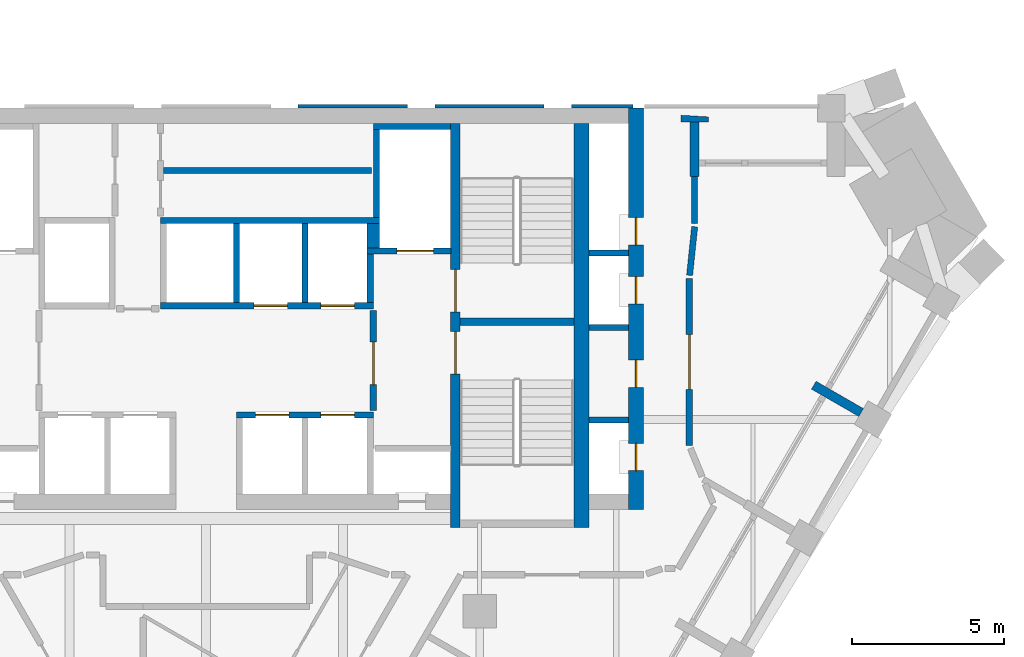
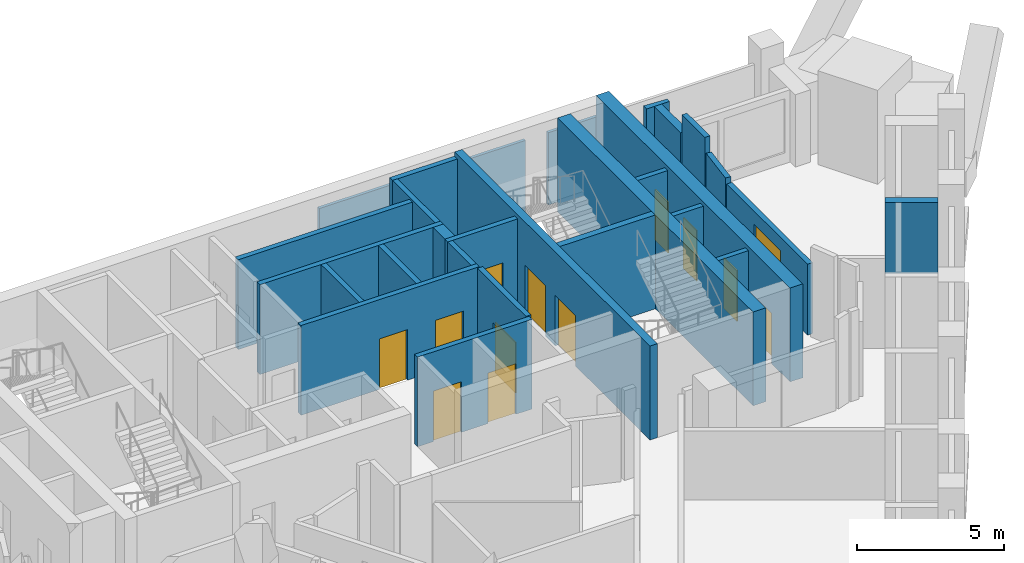
# One storey, part 7 of 9: 28 walls, 13 doors, 13 openings.
"""IFC4 building model written with IfcOpenShell, lengths in metres."""

from ifc_helpers import new_model, si_unit, direction, frame, frame_2d, origin, place, context, subcontext, project, spatial, polyline, rectangle, outline, extrude, material, layer, layer_set, type_object, element, fill, save


model = new_model("IFC4")

# Units and contexts
model_context = context("Model", 3, precision=1e-05, world=origin(), true_north=direction((0.0, 1.0)))
body_context = subcontext(model_context, "Body", "Model", "MODEL_VIEW")
ifc_project = project(units=[si_unit("LENGTHUNIT", "METRE"), si_unit("AREAUNIT", "SQUARE_METRE"), si_unit("VOLUMEUNIT", "CUBIC_METRE"), si_unit("PLANEANGLEUNIT", "RADIAN"), si_unit("MASSUNIT", "GRAM", prefix="KILO")], contexts=[model_context])

# Site, building, storey
site_placement = place(None, origin())
site = spatial("IfcSite", under=ifc_project, at=site_placement, CompositionType="ELEMENT")
building_placement = place(site_placement, origin())
building = spatial("IfcBuilding", under=site, at=building_placement, Name="Calabash Gate Tower", CompositionType="ELEMENT")
storey_placement = place(building_placement, frame((0.0, 0.0, 231.5)))
storey = spatial("IfcBuildingStorey", under=building, at=storey_placement, Name="L55", CompositionType="ELEMENT", Elevation=231.5)

# Walls
ifc_material_1 = material(Name="Terracotta brick masonry, exposed face", Category="masonry")
ifc_layer_1 = layer(ifc_material_1, 0.89990234375)
ifc_layer_set_1 = layer_set([ifc_layer_1], Name="Brick end wall 900")
wall_type_1 = type_object("IfcWallType", Name="Brick end wall 900", PredefinedType="SOLIDWALL", material=ifc_layer_set_1)
wall_1_placement = place(storey_placement, origin())
element("IfcWall", 1, at=wall_1_placement, inside=storey, type_object=wall_type_1, Name="Brick pier S16 N4.1", PredefinedType="SOLIDWALL", context=body_context, shape_type="SweptSolid", body=[
    extrude(outline(polyline([(16.52685546875, 18.768798828125), (15.626953125, 18.8232421875), (15.626953125, 18.6025390625), (16.52685546875, 18.6025390625), (16.52685546875, 18.768798828125)])), origin(), (0.0, 0.0, 1.0), 3.0),
])
ifc_material_2 = material(Name="Terracotta brick masonry, exposed face", Category="masonry")
ifc_layer_2 = layer(ifc_material_2, 0.300048828125)
ifc_layer_set_2 = layer_set([ifc_layer_2], Name="Brick loggia cheek wall 300")
wall_type_2 = type_object("IfcWallType", Name="Brick loggia cheek wall 300", PredefinedType="SOLIDWALL", material=ifc_layer_set_2)
wall_2_placement = place(storey_placement, frame((21.556396484375, 9.037109375, 0.0), z_axis=(0.0, 0.0, 1.0), x_axis=(-0.866047807691, 0.499961193289, 0.0)))
element("IfcWall", 2, at=wall_2_placement, inside=storey, type_object=wall_type_2, Name="Loggia cheek S16 SE2.8", PredefinedType="SOLIDWALL", context=body_context, shape_type="SweptSolid", body=[
    extrude(rectangle(XDim=1.800048828125, YDim=0.300048828125, at=frame_2d((0.89990234375, 0.0))), origin(), (0.0, 0.0, 1.0), 2.9501953125),
])
wall_3_placement = place(storey_placement, origin())
element("IfcWall", 3, at=wall_3_placement, inside=storey, type_object=wall_type_2, Name="Loggia cheek S16 N4.1", PredefinedType="SOLIDWALL", context=body_context, shape_type="SweptSolid", body=[
    extrude(outline(polyline([(15.927001953125, 18.6025390625), (15.927001953125, 16.802490234375), (16.22705078125, 16.802490234375), (16.22705078125, 18.6025390625), (15.927001953125, 18.6025390625)])), origin(), (0.0, 0.0, 1.0), 3.0),
])
ifc_material_3 = material(Name="Concrete C70/85", Category="concrete")
ifc_layer_3 = layer(ifc_material_3, 0.25)
ifc_layer_set_3 = layer_set([ifc_layer_3], Name="Core wall 250 Concrete C70/85")
wall_type_3 = type_object("IfcWallType", Name="Core wall 250 Concrete C70/85", PredefinedType="SHEAR", material=ifc_layer_set_3)
wall_4_placement = place(storey_placement, frame((8.35009765625, 12.027587890625, 0.0), z_axis=(0.0, 0.0, 1.0), x_axis=(1.0, 0.0, 0.0)))
element("IfcWall", 4, at=wall_4_placement, inside=storey, type_object=wall_type_3, Name="Core wall Z4-MIDE L55", PredefinedType="SHEAR", context=body_context, shape_type="SweptSolid", body=[
    extrude(rectangle(XDim=3.75, YDim=0.25, at=frame_2d((1.875, 0.0))), origin(), (0.0, 0.0, 1.0), 3.89990234375),
])

# Wall, openings, doors
ifc_material_4 = material(Name="Concrete C70/85", Category="concrete")
ifc_layer_4 = layer(ifc_material_4, 0.300048828125)
ifc_layer_set_4 = layer_set([ifc_layer_4], Name="Core wall 300 Concrete C70/85")
wall_type_4 = type_object("IfcWallType", Name="Core wall 300 Concrete C70/85", PredefinedType="SHEAR", material=ifc_layer_set_4)
wall_5_placement = place(storey_placement, frame((8.199951171875, 5.252685546875, 0.0), z_axis=(0.0, 0.0, 1.0), x_axis=(0.0, 1.0, 0.0)))
wall_5 = element("IfcWall", 5, at=wall_5_placement, inside=storey, type_object=wall_type_4, Name="Core wall Z4-PARTE L55", PredefinedType="SHEAR", context=body_context, shape_type="SweptSolid", body=[
    extrude(rectangle(XDim=13.2998046875, YDim=0.300048828125, at=frame_2d((6.64990234375, 0.0))), origin(), (0.0, 0.0, 1.0), 3.89990234375),
])
opening_1_placement = place(wall_5_placement, frame((7.10009765625, 0.0, 0.0)))
opening_1 = element("IfcOpeningElement", 6, at=opening_1_placement, cuts=wall_5, Name="Opening O8-019", PredefinedType="OPENING", context=body_context, shape_type="SweptSolid", body=[
    extrude(rectangle(XDim=1.39990234375, YDim=2.10009765625, at=frame_2d((0.699951171875, 1.050048828125))), frame((0.0, 0.159912109375, 0.0), z_axis=(0.0, -1.0, 0.0), x_axis=(1.0, 0.0, 0.0)), (0.0, 0.0, 1.0), 0.320068359375),
])
opening_2_placement = place(wall_5_placement, frame((5.050048828125, 0.0, 0.0)))
opening_2 = element("IfcOpeningElement", 7, at=opening_2_placement, cuts=wall_5, Name="Opening O8-020", PredefinedType="OPENING", context=body_context, shape_type="SweptSolid", body=[
    extrude(rectangle(XDim=1.39990234375, YDim=2.10009765625, at=frame_2d((0.699951171875, 1.050048828125))), frame((0.0, 0.159912109375, 0.0), z_axis=(0.0, -1.0, 0.0), x_axis=(1.0, 0.0, 0.0)), (0.0, 0.0, 1.0), 0.320068359375),
])
ifc_material_5 = material(Name="Steel fire door set with fire-resisting glazing", Category="steel")
door_type_1 = type_object("IfcDoorType", Name="Fire door D05 1400x2100 FD90", OperationType="NOTDEFINED", PredefinedType="DOOR", material=ifc_material_5)
door_1_placement = place(opening_1_placement, origin())
door_1 = element("IfcDoor", 8, at=door_1_placement, inside=storey, type_object=door_type_1, Name="Exit stair door ST3", OperationType="SINGLE_SWING_RIGHT", OverallHeight=2.10009765625, OverallWidth=1.39990234375, PredefinedType="DOOR", context=body_context, shape_type="SweptSolid", body=[
    extrude(rectangle(XDim=1.39990234375, YDim=2.10009765625, at=frame_2d((0.699951171875, 1.050048828125))), frame((0.0, 0.02490234375, 0.0), z_axis=(0.0, -1.0, 0.0), x_axis=(1.0, 0.0, 0.0)), (0.0, 0.0, 1.0), 0.050048828125),
])
fill(opening_1, door_1)
door_2_placement = place(opening_2_placement, origin())
door_2 = element("IfcDoor", 9, at=door_2_placement, inside=storey, type_object=door_type_1, Name="Exit stair door ST4", OperationType="SINGLE_SWING_LEFT", OverallHeight=2.10009765625, OverallWidth=1.39990234375, PredefinedType="DOOR", context=body_context, shape_type="SweptSolid", body=[
    extrude(rectangle(XDim=1.39990234375, YDim=2.10009765625, at=frame_2d((0.699951171875, 1.050048828125))), frame((0.0, 0.02490234375, 0.0), z_axis=(0.0, -1.0, 0.0), x_axis=(1.0, 0.0, 0.0)), (0.0, 0.0, 1.0), 0.050048828125),
])
fill(opening_2, door_2)

# Wall
ifc_material_6 = material(Name="Concrete C70/85", Category="concrete")
ifc_layer_5 = layer(ifc_material_6, 0.5)
ifc_layer_set_5 = layer_set([ifc_layer_5], Name="Core wall 500 Concrete C70/85")
wall_type_5 = type_object("IfcWallType", Name="Core wall 500 Concrete C70/85", PredefinedType="SHEAR", material=ifc_layer_set_5)
wall_6_placement = place(storey_placement, frame((12.35009765625, 5.252685546875, 0.0), z_axis=(0.0, 0.0, 1.0), x_axis=(0.0, 1.0, 0.0)))
element("IfcWall", 10, at=wall_6_placement, inside=storey, type_object=wall_type_5, Name="Core wall Z4-COLE L55", PredefinedType="SHEAR", context=body_context, shape_type="SweptSolid", body=[
    extrude(rectangle(XDim=13.2998046875, YDim=0.5, at=frame_2d((6.64990234375, 0.0))), origin(), (0.0, 0.0, 1.0), 3.89990234375),
])

# Wall, openings, doors
wall_7_placement = place(storey_placement, frame((14.14990234375, 5.8525390625, 0.0), z_axis=(0.0, 0.0, 1.0), x_axis=(0.0, 1.0, 0.0)))
wall_7 = element("IfcWall", 11, at=wall_7_placement, inside=storey, type_object=wall_type_5, Name="Core wall Z4-ENDE L55", PredefinedType="SHEAR", context=body_context, shape_type="SweptSolid", body=[
    extrude(rectangle(XDim=13.199951171875, YDim=0.5, at=frame_2d((6.60009765625, 0.0))), origin(), (0.0, 0.0, 1.0), 3.89990234375),
])
opening_3_placement = place(wall_7_placement, frame((1.27001953125, 0.0, 0.0)))
opening_3 = element("IfcOpeningElement", 12, at=opening_3_placement, cuts=wall_7, Name="Opening O8-001", PredefinedType="OPENING", context=body_context, shape_type="SweptSolid", body=[
    extrude(rectangle(XDim=0.89990234375, YDim=2.10009765625, at=frame_2d((0.449951171875, 1.050048828125))), frame((0.0, 0.260009765625, 0.0), z_axis=(0.0, -1.0, 0.0), x_axis=(1.0, 0.0, 0.0)), (0.0, 0.0, 1.0), 0.52001953125),
])
opening_4_placement = place(wall_7_placement, frame((4.014892578125, 0.0, 0.0)))
opening_4 = element("IfcOpeningElement", 13, at=opening_4_placement, cuts=wall_7, Name="Opening O8-002", PredefinedType="OPENING", context=body_context, shape_type="SweptSolid", body=[
    extrude(rectangle(XDim=0.89990234375, YDim=2.10009765625, at=frame_2d((0.449951171875, 1.050048828125))), frame((0.0, 0.260009765625, 0.0), z_axis=(0.0, -1.0, 0.0), x_axis=(1.0, 0.0, 0.0)), (0.0, 0.0, 1.0), 0.52001953125),
])
opening_5_placement = place(wall_7_placement, frame((6.760009765625, 0.0, 0.0)))
opening_5 = element("IfcOpeningElement", 14, at=opening_5_placement, cuts=wall_7, Name="Opening O8-003", PredefinedType="OPENING", context=body_context, shape_type="SweptSolid", body=[
    extrude(rectangle(XDim=0.89990234375, YDim=2.10009765625, at=frame_2d((0.449951171875, 1.050048828125))), frame((0.0, 0.260009765625, 0.0), z_axis=(0.0, -1.0, 0.0), x_axis=(1.0, 0.0, 0.0)), (0.0, 0.0, 1.0), 0.52001953125),
])
opening_6_placement = place(wall_7_placement, frame((8.697509765625, 0.0, 0.0)))
opening_6 = element("IfcOpeningElement", 15, at=opening_6_placement, cuts=wall_7, Name="Opening O8-004", PredefinedType="OPENING", context=body_context, shape_type="SweptSolid", body=[
    extrude(rectangle(XDim=0.89990234375, YDim=2.10009765625, at=frame_2d((0.449951171875, 1.050048828125))), frame((0.0, 0.260009765625, 0.0), z_axis=(0.0, -1.0, 0.0), x_axis=(1.0, 0.0, 0.0)), (0.0, 0.0, 1.0), 0.52001953125),
])
ifc_material_7 = material(Name="Steel fire door set with fire-resisting glazing", Category="steel")
door_type_2 = type_object("IfcDoorType", Name="Fire door D06 900x2100 FD60", OperationType="NOTDEFINED", PredefinedType="DOOR", material=ifc_material_7)
door_3_placement = place(opening_3_placement, origin())
door_3 = element("IfcDoor", 16, at=door_3_placement, inside=storey, type_object=door_type_2, Name="Comms Riser door", OperationType="SINGLE_SWING_LEFT", OverallHeight=2.10009765625, OverallWidth=0.89990234375, PredefinedType="DOOR", context=body_context, shape_type="SweptSolid", body=[
    extrude(rectangle(XDim=0.89990234375, YDim=2.10009765625, at=frame_2d((0.449951171875, 1.050048828125))), frame((0.0, 0.02490234375, 0.0), z_axis=(0.0, -1.0, 0.0), x_axis=(1.0, 0.0, 0.0)), (0.0, 0.0, 1.0), 0.050048828125),
])
fill(opening_3, door_3)
door_4_placement = place(opening_4_placement, origin())
door_4 = element("IfcDoor", 17, at=door_4_placement, inside=storey, type_object=door_type_2, Name="Cleaner's Store door", OperationType="SINGLE_SWING_RIGHT", OverallHeight=2.10009765625, OverallWidth=0.89990234375, PredefinedType="DOOR", context=body_context, shape_type="SweptSolid", body=[
    extrude(rectangle(XDim=0.89990234375, YDim=2.10009765625, at=frame_2d((0.449951171875, 1.050048828125))), frame((0.0, 0.02490234375, 0.0), z_axis=(0.0, -1.0, 0.0), x_axis=(1.0, 0.0, 0.0)), (0.0, 0.0, 1.0), 0.050048828125),
])
fill(opening_4, door_4)
door_5_placement = place(opening_5_placement, origin())
door_5 = element("IfcDoor", 18, at=door_5_placement, inside=storey, type_object=door_type_2, Name="Duct Riser door", OperationType="SINGLE_SWING_LEFT", OverallHeight=2.10009765625, OverallWidth=0.89990234375, PredefinedType="DOOR", context=body_context, shape_type="SweptSolid", body=[
    extrude(rectangle(XDim=0.89990234375, YDim=2.10009765625, at=frame_2d((0.449951171875, 1.050048828125))), frame((0.0, 0.02490234375, 0.0), z_axis=(0.0, -1.0, 0.0), x_axis=(1.0, 0.0, 0.0)), (0.0, 0.0, 1.0), 0.050048828125),
])
fill(opening_5, door_5)
door_6_placement = place(opening_6_placement, origin())
door_6 = element("IfcDoor", 19, at=door_6_placement, inside=storey, type_object=door_type_2, Name="Electrical Riser door", OperationType="SINGLE_SWING_LEFT", OverallHeight=2.10009765625, OverallWidth=0.89990234375, PredefinedType="DOOR", context=body_context, shape_type="SweptSolid", body=[
    extrude(rectangle(XDim=0.89990234375, YDim=2.10009765625, at=frame_2d((0.449951171875, 1.050048828125))), frame((0.0, 0.02490234375, 0.0), z_axis=(0.0, -1.0, 0.0), x_axis=(1.0, 0.0, 0.0)), (0.0, 0.0, 1.0), 0.050048828125),
])
fill(opening_6, door_6)

# Wall, opening, door
ifc_material_8 = material(Name="Gypsum board on steel studs, mineral wool", Category="steel")
ifc_layer_6 = layer(ifc_material_8, 0.199951171875)
ifc_layer_set_6 = layer_set([ifc_layer_6], Name="Partition 200 gypsum board EI 60")
wall_type_6 = type_object("IfcWallType", Name="Partition 200 gypsum board EI 60", PredefinedType="PARTITIONING", material=ifc_layer_set_6)
wall_8_placement = place(storey_placement, frame((15.900390625, 7.95263671875, 0.0), z_axis=(0.0, 0.0, 1.0), x_axis=(0.0, 1.0, 0.0)))
wall_8 = element("IfcWall", 20, at=wall_8_placement, inside=storey, type_object=wall_type_6, Name="Partition", PredefinedType="PARTITIONING", context=body_context, shape_type="SweptSolid", body=[
    extrude(rectangle(XDim=5.499755859375, YDim=0.199951171875, at=frame_2d((2.75, 0.0))), origin(), (0.0, 0.0, 1.0), 2.9501953125),
])
opening_7_placement = place(wall_8_placement, frame((1.849853515625, 0.0, 0.0)))
opening_7 = element("IfcOpeningElement", 21, at=opening_7_placement, cuts=wall_8, Name="Opening 55-57-009", PredefinedType="OPENING", context=body_context, shape_type="SweptSolid", body=[
    extrude(rectangle(XDim=1.800048828125, YDim=2.39990234375, at=frame_2d((0.89990234375, 1.199951171875))), frame((0.0, 0.10986328125, 0.0), z_axis=(0.0, -1.0, 0.0), x_axis=(1.0, 0.0, 0.0)), (0.0, 0.0, 1.0), 0.219970703125),
])
ifc_material_9 = material(Name="Steel fire door set with fire-resisting glazing", Category="steel")
door_type_3 = type_object("IfcDoorType", Name="OD5 Open office double door 1800x2400", OperationType="NOTDEFINED", PredefinedType="DOOR", material=ifc_material_9)
door_7_placement = place(opening_7_placement, origin())
door_7 = element("IfcDoor", 22, at=door_7_placement, inside=storey, type_object=door_type_3, Name="Open office double door", OperationType="DOUBLE_DOOR_SINGLE_SWING", OverallHeight=2.39990234375, OverallWidth=1.800048828125, PredefinedType="DOOR", context=body_context, shape_type="SweptSolid", body=[
    extrude(rectangle(XDim=1.800048828125, YDim=2.39990234375, at=frame_2d((0.89990234375, 1.199951171875))), frame((0.0, 0.02490234375, 0.0), z_axis=(0.0, -1.0, 0.0), x_axis=(1.0, 0.0, 0.0)), (0.0, 0.0, 1.0), 0.050048828125),
])
fill(opening_7, door_7)

# Walls
wall_9_placement = place(storey_placement, frame((15.910888671875, 13.552001953125, 0.0), z_axis=(0.0, 0.0, 1.0), x_axis=(0.103468505511, 0.994632730392, 0.0)))
element("IfcWall", 23, at=wall_9_placement, inside=storey, type_object=wall_type_6, Name="Partition", PredefinedType="PARTITIONING", context=body_context, shape_type="SweptSolid", body=[
    extrude(rectangle(XDim=1.609130859375, YDim=0.199951171875, at=frame_2d((0.8046875, 0.0))), origin(), (0.0, 0.0, 1.0), 3.1279296875),
])
wall_10_placement = place(storey_placement, frame((16.077392578125, 15.25244140625, 0.0), z_axis=(0.0, 0.0, 1.0), x_axis=(0.0, 1.0, 0.0)))
element("IfcWall", 24, at=wall_10_placement, inside=storey, type_object=wall_type_6, Name="Partition", PredefinedType="PARTITIONING", context=body_context, shape_type="SweptSolid", body=[
    extrude(rectangle(XDim=1.550048828125, YDim=0.199951171875, at=frame_2d((0.77490234375, 0.0))), origin(), (0.0, 0.0, 1.0), 3.72998046875),
])
ifc_material_10 = material(Name="Concrete C40/50", Category="concrete")
ifc_layer_7 = layer(ifc_material_10, 0.199951171875)
ifc_layer_set_7 = layer_set([ifc_layer_7], Name="Shaft wall 200 Concrete C40/50")
wall_type_7 = type_object("IfcWallType", Name="Shaft wall 200 Concrete C40/50", PredefinedType="SOLIDWALL", material=ifc_layer_set_7)
wall_11_placement = place(storey_placement, frame((12.60009765625, 8.79248046875, 0.0), z_axis=(0.0, 0.0, 1.0), x_axis=(1.0, 0.0, 0.0)))
element("IfcWall", 25, at=wall_11_placement, inside=storey, type_object=wall_type_7, Name="Shaft wall", PredefinedType="SOLIDWALL", context=body_context, shape_type="SweptSolid", body=[
    extrude(rectangle(XDim=1.2998046875, YDim=0.199951171875, at=frame_2d((0.64990234375, 0.0))), origin(), (0.0, 0.0, 1.0), 3.72998046875),
])

# Wall, openings, doors
wall_12_placement = place(storey_placement, frame((1.0, 8.95263671875, 0.0), z_axis=(0.0, 0.0, 1.0), x_axis=(1.0, 0.0, 0.0)))
wall_12 = element("IfcWall", 26, at=wall_12_placement, inside=storey, type_object=wall_type_7, Name="Shaft wall", PredefinedType="SOLIDWALL", context=body_context, shape_type="SweptSolid", body=[
    extrude(rectangle(XDim=4.5, YDim=0.199951171875, at=frame_2d((2.25, 0.0))), origin(), (0.0, 0.0, 1.0), 3.72998046875),
])
opening_8_placement = place(wall_12_placement, frame((0.625, 0.0, 0.0)))
opening_8 = element("IfcOpeningElement", 27, at=opening_8_placement, cuts=wall_12, Name="Opening LD-HR3", PredefinedType="OPENING", context=body_context, shape_type="SweptSolid", body=[
    extrude(rectangle(XDim=1.10009765625, YDim=2.10009765625, at=frame_2d((0.550048828125, 1.050048828125))), frame((0.0, 0.10986328125, 0.0), z_axis=(0.0, -1.0, 0.0), x_axis=(1.0, 0.0, 0.0)), (0.0, 0.0, 1.0), 0.219970703125),
])
opening_9_placement = place(wall_12_placement, frame((2.77490234375, 0.0, 0.0)))
opening_9 = element("IfcOpeningElement", 28, at=opening_9_placement, cuts=wall_12, Name="Opening LD-HR4", PredefinedType="OPENING", context=body_context, shape_type="SweptSolid", body=[
    extrude(rectangle(XDim=1.10009765625, YDim=2.10009765625, at=frame_2d((0.550048828125, 1.050048828125))), frame((0.0, 0.10986328125, 0.0), z_axis=(0.0, -1.0, 0.0), x_axis=(1.0, 0.0, 0.0)), (0.0, 0.0, 1.0), 0.219970703125),
])
ifc_material_11 = material(Name="Stainless steel sliding door leaves", Category="steel")
door_type_4 = type_object("IfcDoorType", Name="Lift landing door LS1 1100x2100 FD90", OperationType="DOUBLE_DOOR_SLIDING", PredefinedType="DOOR", material=ifc_material_11)
door_8_placement = place(opening_8_placement, origin())
door_8 = element("IfcDoor", 29, at=door_8_placement, inside=storey, type_object=door_type_4, Name="Lift landing door HR3", OperationType="DOUBLE_DOOR_SLIDING", OverallHeight=2.10009765625, OverallWidth=1.10009765625, PredefinedType="DOOR", context=body_context, shape_type="SweptSolid", body=[
    extrude(rectangle(XDim=1.10009765625, YDim=2.10009765625, at=frame_2d((0.550048828125, 1.050048828125))), frame((0.0, 0.02490234375, 0.0), z_axis=(0.0, -1.0, 0.0), x_axis=(1.0, 0.0, 0.0)), (0.0, 0.0, 1.0), 0.050048828125),
])
fill(opening_8, door_8)
door_9_placement = place(opening_9_placement, origin())
door_9 = element("IfcDoor", 30, at=door_9_placement, inside=storey, type_object=door_type_4, Name="Lift landing door HR4", OperationType="DOUBLE_DOOR_SLIDING", OverallHeight=2.10009765625, OverallWidth=1.10009765625, PredefinedType="DOOR", context=body_context, shape_type="SweptSolid", body=[
    extrude(rectangle(XDim=1.10009765625, YDim=2.10009765625, at=frame_2d((0.550048828125, 1.050048828125))), frame((0.0, 0.02490234375, 0.0), z_axis=(0.0, -1.0, 0.0), x_axis=(1.0, 0.0, 0.0)), (0.0, 0.0, 1.0), 0.050048828125),
])
fill(opening_9, door_9)

# Wall, opening, door
wall_13_placement = place(storey_placement, frame((5.5, 9.1025390625, 0.0), z_axis=(0.0, 0.0, 1.0), x_axis=(0.0, 1.0, 0.0)))
wall_13 = element("IfcWall", 31, at=wall_13_placement, inside=storey, type_object=wall_type_7, Name="Shaft wall", PredefinedType="SOLIDWALL", context=body_context, shape_type="SweptSolid", body=[
    extrude(rectangle(XDim=3.300048828125, YDim=0.199951171875, at=frame_2d((1.64990234375, 0.0))), origin(), (0.0, 0.0, 1.0), 3.72998046875),
])
opening_10_placement = place(wall_13_placement, frame((0.85009765625, 0.0, 0.0)))
opening_10 = element("IfcOpeningElement", 32, at=opening_10_placement, cuts=wall_13, Name="Opening O8-010", PredefinedType="OPENING", context=body_context, shape_type="SweptSolid", body=[
    extrude(rectangle(XDim=1.39990234375, YDim=2.10009765625, at=frame_2d((0.699951171875, 1.050048828125))), frame((0.0, 0.10986328125, 0.0), z_axis=(0.0, -1.0, 0.0), x_axis=(1.0, 0.0, 0.0)), (0.0, 0.0, 1.0), 0.219970703125),
])
door_10_placement = place(opening_10_placement, origin())
door_10 = element("IfcDoor", 33, at=door_10_placement, inside=storey, type_object=door_type_1, Name="Firefighting Lobby E door", OperationType="SINGLE_SWING_LEFT", OverallHeight=2.10009765625, OverallWidth=1.39990234375, PredefinedType="DOOR", context=body_context, shape_type="SweptSolid", body=[
    extrude(rectangle(XDim=1.39990234375, YDim=2.10009765625, at=frame_2d((0.699951171875, 1.050048828125))), frame((0.0, 0.02490234375, 0.0), z_axis=(0.0, -1.0, 0.0), x_axis=(1.0, 0.0, 0.0)), (0.0, 0.0, 1.0), 0.050048828125),
])
fill(opening_10, door_10)

# Wall
wall_14_placement = place(storey_placement, frame((12.60009765625, 11.842529296875, 0.0), z_axis=(0.0, 0.0, 1.0), x_axis=(1.0, 0.0, 0.0)))
element("IfcWall", 34, at=wall_14_placement, inside=storey, type_object=wall_type_7, Name="Shaft wall", PredefinedType="SOLIDWALL", context=body_context, shape_type="SweptSolid", body=[
    extrude(rectangle(XDim=1.2998046875, YDim=0.199951171875, at=frame_2d((0.64990234375, 0.0))), origin(), (0.0, 0.0, 1.0), 3.72998046875),
])

# Wall, openings, doors
wall_15_placement = place(storey_placement, frame((-1.5, 12.552490234375, 0.0), z_axis=(0.0, 0.0, 1.0), x_axis=(1.0, 0.0, 0.0)))
wall_15 = element("IfcWall", 35, at=wall_15_placement, inside=storey, type_object=wall_type_7, Name="Shaft wall", PredefinedType="SOLIDWALL", context=body_context, shape_type="SweptSolid", body=[
    extrude(rectangle(XDim=7.0, YDim=0.199951171875, at=frame_2d((3.5, 0.0))), origin(), (0.0, 0.0, 1.0), 3.72998046875),
])
opening_11_placement = place(wall_15_placement, frame((3.074951171875, 0.0, 0.0)))
opening_11 = element("IfcOpeningElement", 36, at=opening_11_placement, cuts=wall_15, Name="Opening LD-HR5", PredefinedType="OPENING", context=body_context, shape_type="SweptSolid", body=[
    extrude(rectangle(XDim=1.10009765625, YDim=2.10009765625, at=frame_2d((0.550048828125, 1.050048828125))), frame((0.0, 0.10986328125, 0.0), z_axis=(0.0, -1.0, 0.0), x_axis=(1.0, 0.0, 0.0)), (0.0, 0.0, 1.0), 0.219970703125),
])
opening_12_placement = place(wall_15_placement, frame((5.27490234375, 0.0, 0.0)))
opening_12 = element("IfcOpeningElement", 37, at=opening_12_placement, cuts=wall_15, Name="Opening LD-HR6", PredefinedType="OPENING", context=body_context, shape_type="SweptSolid", body=[
    extrude(rectangle(XDim=1.10009765625, YDim=2.10009765625, at=frame_2d((0.550048828125, 1.050048828125))), frame((0.0, 0.10986328125, 0.0), z_axis=(0.0, -1.0, 0.0), x_axis=(1.0, 0.0, 0.0)), (0.0, 0.0, 1.0), 0.219970703125),
])
door_11_placement = place(opening_11_placement, origin())
door_11 = element("IfcDoor", 38, at=door_11_placement, inside=storey, type_object=door_type_4, Name="Lift landing door HR5", OperationType="DOUBLE_DOOR_SLIDING", OverallHeight=2.10009765625, OverallWidth=1.10009765625, PredefinedType="DOOR", context=body_context, shape_type="SweptSolid", body=[
    extrude(rectangle(XDim=1.10009765625, YDim=2.10009765625, at=frame_2d((0.550048828125, 1.050048828125))), frame((0.0, 0.02490234375, 0.0), z_axis=(0.0, -1.0, 0.0), x_axis=(1.0, 0.0, 0.0)), (0.0, 0.0, 1.0), 0.050048828125),
])
fill(opening_11, door_11)
door_12_placement = place(opening_12_placement, origin())
door_12 = element("IfcDoor", 39, at=door_12_placement, inside=storey, type_object=door_type_4, Name="Lift landing door HR6", OperationType="DOUBLE_DOOR_SLIDING", OverallHeight=2.10009765625, OverallWidth=1.10009765625, PredefinedType="DOOR", context=body_context, shape_type="SweptSolid", body=[
    extrude(rectangle(XDim=1.10009765625, YDim=2.10009765625, at=frame_2d((0.550048828125, 1.050048828125))), frame((0.0, 0.02490234375, 0.0), z_axis=(0.0, -1.0, 0.0), x_axis=(1.0, 0.0, 0.0)), (0.0, 0.0, 1.0), 0.050048828125),
])
fill(opening_12, door_12)

# Walls
for number, where, z_axis, x_axis, name in (
    (40, (1.0, 12.652587890625, 0.0), (0.0, 0.0, 1.0), (0.0, 1.0, 0.0), "Shaft wall"),
    (41, (3.25, 12.652587890625, 0.0), (0.0, 0.0, 1.0), (0.0, 1.0, 0.0), "Shaft wall"),
):
    element("IfcWall", number, at=place(storey_placement, frame(where, z_axis=z_axis, x_axis=x_axis)), inside=storey, type_object=wall_type_7, Name=name, PredefinedType="SOLIDWALL", context=body_context, shape_type="SweptSolid", body=[
        extrude(rectangle(XDim=2.60009765625, YDim=0.199951171875, at=frame_2d((1.300048828125, 0.0))), origin(), (0.0, 0.0, 1.0), 3.72998046875),
    ])
wall_16_placement = place(storey_placement, frame((5.39990234375, 12.652587890625, 0.0), z_axis=(0.0, 0.0, 1.0), x_axis=(0.0, 1.0, 0.0)))
element("IfcWall", 42, at=wall_16_placement, inside=storey, type_object=wall_type_7, Name="Shaft wall", PredefinedType="SOLIDWALL", context=body_context, shape_type="SweptSolid", body=[
    extrude(rectangle(XDim=1.60009765625, YDim=0.199951171875, at=frame_2d((0.800048828125, 0.0))), origin(), (0.0, 0.0, 1.0), 3.72998046875),
])
wall_17_placement = place(storey_placement, frame((12.60009765625, 14.28271484375, 0.0), z_axis=(0.0, 0.0, 1.0), x_axis=(1.0, 0.0, 0.0)))
element("IfcWall", 43, at=wall_17_placement, inside=storey, type_object=wall_type_7, Name="Shaft wall", PredefinedType="SOLIDWALL", context=body_context, shape_type="SweptSolid", body=[
    extrude(rectangle(XDim=1.2998046875, YDim=0.199951171875, at=frame_2d((0.64990234375, 0.0))), origin(), (0.0, 0.0, 1.0), 3.72998046875),
])

# Wall, opening, door
wall_18_placement = place(storey_placement, frame((5.300048828125, 14.3525390625, 0.0), z_axis=(0.0, 0.0, 1.0), x_axis=(1.0, 0.0, 0.0)))
wall_18 = element("IfcWall", 44, at=wall_18_placement, inside=storey, type_object=wall_type_7, Name="Shaft wall", PredefinedType="SOLIDWALL", context=body_context, shape_type="SweptSolid", body=[
    extrude(rectangle(XDim=2.75, YDim=0.199951171875, at=frame_2d((1.375, 0.0))), origin(), (0.0, 0.0, 1.0), 3.72998046875),
])
opening_13_placement = place(wall_18_placement, frame((0.97509765625, 0.0, 0.0)))
opening_13 = element("IfcOpeningElement", 45, at=opening_13_placement, cuts=wall_18, Name="Opening LD-FF2", PredefinedType="OPENING", context=body_context, shape_type="SweptSolid", body=[
    extrude(rectangle(XDim=1.199951171875, YDim=2.10009765625, at=frame_2d((0.60009765625, 1.050048828125))), frame((0.0, 0.10986328125, 0.0), z_axis=(0.0, -1.0, 0.0), x_axis=(1.0, 0.0, 0.0)), (0.0, 0.0, 1.0), 0.219970703125),
])
ifc_material_12 = material(Name="Stainless steel sliding door leaves", Category="steel")
door_type_5 = type_object("IfcDoorType", Name="Lift landing door LS3 1200x2100 FD90", OperationType="DOUBLE_DOOR_SLIDING", PredefinedType="DOOR", material=ifc_material_12)
door_13_placement = place(opening_13_placement, origin())
door_13 = element("IfcDoor", 46, at=door_13_placement, inside=storey, type_object=door_type_5, Name="Lift landing door FF2", OperationType="DOUBLE_DOOR_SLIDING", OverallHeight=2.10009765625, OverallWidth=1.199951171875, PredefinedType="DOOR", context=body_context, shape_type="SweptSolid", body=[
    extrude(rectangle(XDim=1.199951171875, YDim=2.10009765625, at=frame_2d((0.60009765625, 1.050048828125))), frame((0.0, 0.02490234375, 0.0), z_axis=(0.0, -1.0, 0.0), x_axis=(1.0, 0.0, 0.0)), (0.0, 0.0, 1.0), 0.050048828125),
])
fill(opening_13, door_13)

# Walls
wall_19_placement = place(storey_placement, frame((5.5, 14.45263671875, 0.0), z_axis=(0.0, 0.0, 1.0), x_axis=(0.0, 1.0, 0.0)))
element("IfcWall", 47, at=wall_19_placement, inside=storey, type_object=wall_type_7, Name="Shaft wall", PredefinedType="SOLIDWALL", context=body_context, shape_type="SweptSolid", body=[
    extrude(rectangle(XDim=0.800048828125, YDim=0.39990234375, at=frame_2d((0.39990234375, 0.0))), origin(), (0.0, 0.0, 1.0), 3.72998046875),
])
wall_20_placement = place(storey_placement, frame((-1.5, 15.3525390625, 0.0), z_axis=(0.0, 0.0, 1.0), x_axis=(1.0, 0.0, 0.0)))
element("IfcWall", 48, at=wall_20_placement, inside=storey, type_object=wall_type_7, Name="Shaft wall", PredefinedType="SOLIDWALL", context=body_context, shape_type="SweptSolid", body=[
    extrude(rectangle(XDim=7.199951171875, YDim=0.199951171875, at=frame_2d((3.60009765625, 0.0))), origin(), (0.0, 0.0, 1.0), 3.72998046875),
])
wall_21_placement = place(storey_placement, frame((5.60009765625, 15.45263671875, 0.0), z_axis=(0.0, 0.0, 1.0), x_axis=(0.0, 1.0, 0.0)))
element("IfcWall", 49, at=wall_21_placement, inside=storey, type_object=wall_type_7, Name="Shaft wall", PredefinedType="SOLIDWALL", context=body_context, shape_type="SweptSolid", body=[
    extrude(rectangle(XDim=2.89990234375, YDim=0.199951171875, at=frame_2d((1.449951171875, 0.0))), origin(), (0.0, 0.0, 1.0), 3.72998046875),
])
wall_22_placement = place(storey_placement, frame((-1.39990234375, 17.002685546875, 0.0), z_axis=(0.0, 0.0, 1.0), x_axis=(1.0, 0.0, 0.0)))
element("IfcWall", 50, at=wall_22_placement, inside=storey, type_object=wall_type_7, Name="Shaft wall", PredefinedType="SOLIDWALL", context=body_context, shape_type="SweptSolid", body=[
    extrude(rectangle(XDim=6.849853515625, YDim=0.199951171875, at=frame_2d((3.4248046875, 0.0))), origin(), (0.0, 0.0, 1.0), 3.72998046875),
])
wall_23_placement = place(storey_placement, frame((5.5, 18.45263671875, 0.0), z_axis=(0.0, 0.0, 1.0), x_axis=(1.0, 0.0, 0.0)))
element("IfcWall", 51, at=wall_23_placement, inside=storey, type_object=wall_type_7, Name="Shaft wall", PredefinedType="SOLIDWALL", context=body_context, shape_type="SweptSolid", body=[
    extrude(rectangle(XDim=2.550048828125, YDim=0.199951171875, at=frame_2d((1.27490234375, 0.0))), origin(), (0.0, 0.0, 1.0), 3.72998046875),
])
ifc_material_13 = material(Name="Terracotta brick masonry, perforated", Category="masonry")
ifc_layer_8 = layer(ifc_material_13, 0.1201171875)
ifc_layer_set_8 = layer_set([ifc_layer_8], Name="Terracotta jaali cladding B 120")
wall_type_8 = type_object("IfcWallType", Name="Terracotta jaali cladding B 120", PredefinedType="SOLIDWALL", material=ifc_layer_set_8)
wall_24_placement = place(storey_placement, origin())
element("IfcWall", 52, at=wall_24_placement, inside=storey, type_object=wall_type_8, Name="Jaali cladding S16 N4.3", PredefinedType="SOLIDWALL", context=body_context, shape_type="SweptSolid", body=[
    extrude(outline(polyline([(7.52685546875, 19.172607421875), (7.52685546875, 19.052490234375), (11.126953125, 19.052490234375), (11.126953125, 19.172607421875), (7.52685546875, 19.172607421875)])), origin(), (0.0, 0.0, 1.0), 3.0),
])
ifc_material_14 = material(Name="Terracotta louvre blades in an aluminium frame", Category="masonry")
ifc_layer_9 = layer(ifc_material_14, 0.1201171875)
ifc_layer_set_9 = layer_set([ifc_layer_9], Name="Terracotta vent louvre cladding 120")
wall_type_9 = type_object("IfcWallType", Name="Terracotta vent louvre cladding 120", PredefinedType="ELEMENTEDWALL", material=ifc_layer_set_9)
wall_25_placement = place(storey_placement, origin())
element("IfcWall", 53, at=wall_25_placement, inside=storey, type_object=wall_type_9, Name="Vent louvre cladding S16 N4.2", PredefinedType="ELEMENTEDWALL", context=body_context, shape_type="SweptSolid", body=[
    extrude(outline(polyline([(14.0439453125, 19.172607421875), (12.02685546875, 19.172607421875), (12.02685546875, 19.052490234375), (14.0439453125, 19.052490234375), (14.0439453125, 19.172607421875)])), origin(), (0.0, 0.0, 1.0), 3.0),
])
wall_26_placement = place(storey_placement, origin())
element("IfcWall", 54, at=wall_26_placement, inside=storey, type_object=wall_type_9, Name="Vent louvre cladding S16 N4.4", PredefinedType="ELEMENTEDWALL", context=body_context, shape_type="SweptSolid", body=[
    extrude(outline(polyline([(3.02685546875, 19.172607421875), (3.02685546875, 19.052490234375), (6.626953125, 19.052490234375), (6.626953125, 19.172607421875), (3.02685546875, 19.172607421875)])), origin(), (0.0, 0.0, 1.0), 3.0),
])

save(model, "model.ifc")
